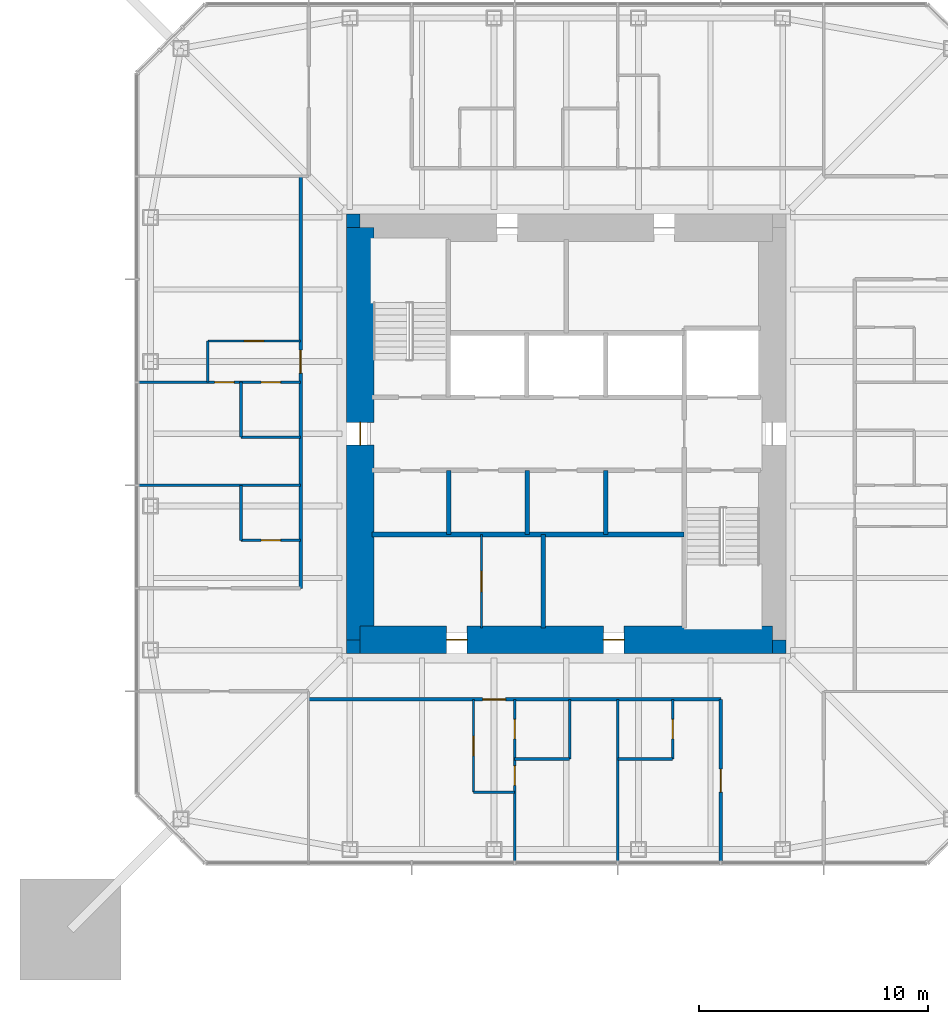
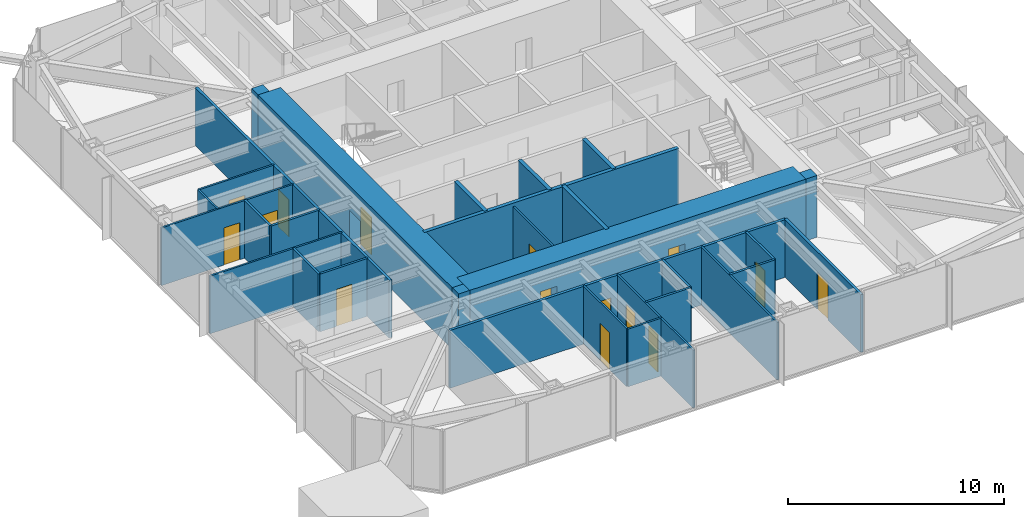
# One storey, part 6 of 11: 30 walls, 15 doors, 15 openings.
"""IFC4 building model written with IfcOpenShell, lengths in metres."""

from ifc_helpers import new_model, si_unit, direction, frame, frame_2d, origin, place, context, subcontext, project, spatial, rectangle, extrude, material, layer, layer_set, type_object, element, fill, save


model = new_model("IFC4")

# Units and contexts
model_context = context("Model", 3, precision=1e-05, world=origin(), true_north=direction((0.0, 1.0)))
body_context = subcontext(model_context, "Body", "Model", "MODEL_VIEW")
ifc_project = project(units=[si_unit("LENGTHUNIT", "METRE"), si_unit("AREAUNIT", "SQUARE_METRE"), si_unit("VOLUMEUNIT", "CUBIC_METRE"), si_unit("PLANEANGLEUNIT", "RADIAN"), si_unit("MASSUNIT", "GRAM", prefix="KILO")], contexts=[model_context])

# Site, building, storey
site_placement = place(None, origin())
site = spatial("IfcSite", under=ifc_project, at=site_placement, CompositionType="ELEMENT")
building_placement = place(site_placement, origin())
building = spatial("IfcBuilding", under=site, at=building_placement, Name="Iwan Alto Co-Living Towers", CompositionType="ELEMENT")
storey_placement = place(building_placement, frame((0.0, 0.0, 170.5)))
storey = spatial("IfcBuildingStorey", under=building, at=storey_placement, Name="L46", CompositionType="ELEMENT", Elevation=170.5)

# Wall, opening, door
ifc_material_1 = material(Name="Gypsum board")
ifc_layer_1 = layer(ifc_material_1, 0.02490234375, Name="Board", Category="Finish")
ifc_material_2 = material(Name="Steel ASTM A1003 ST33H cold-formed studs", Category="steel")
ifc_layer_2 = layer(ifc_material_2, 0.10009765625, Name="Studs", Category="Framing")
ifc_layer_3 = layer(ifc_material_1, 0.02490234375, Name="Board", Category="Finish")
ifc_layer_set_1 = layer_set([ifc_layer_1, ifc_layer_2, ifc_layer_3], Name="CORRIDOR WALL 150")
wall_type_1 = type_object("IfcWallType", Name="CORRIDOR WALL 150", PredefinedType="PARTITIONING", material=ifc_layer_set_1)
wall_1_placement = place(storey_placement, frame((-11.25, -11.60009765625, 0.0), z_axis=(0.0, 0.0, 1.0), x_axis=(1.0, 0.0, 0.0)))
wall_1 = element("IfcWall", 1, at=wall_1_placement, inside=storey, type_object=wall_type_1, Name="Partition L46", PredefinedType="PARTITIONING", context=body_context, shape_type="SweptSolid", body=[
    extrude(rectangle(XDim=18.0, YDim=0.14990234375, at=frame_2d((9.0, 0.0))), origin(), (0.0, 0.0, 1.0), 3.27001953125),
])
opening_1_placement = place(wall_1_placement, frame((7.60009765625, 0.0, 0.0)))
opening_1 = element("IfcOpeningElement", 2, at=opening_1_placement, cuts=wall_1, Name="Opening D3", PredefinedType="OPENING", context=body_context, shape_type="SweptSolid", body=[
    extrude(rectangle(XDim=1.0, YDim=2.10009765625, at=frame_2d((0.5, 1.050048828125))), frame((0.0, 0.0849609375, 0.0), z_axis=(0.0, -1.0, 0.0), x_axis=(1.0, 0.0, 0.0)), (0.0, 0.0, 1.0), 0.169921875),
])
ifc_material_3 = material(Name="Steel frame with timber leaf", Category="steel")
door_type_1 = type_object("IfcDoorType", Name="FLAT ENTRANCE DOOR FD30S 1000X2100", OperationType="SINGLE_SWING_LEFT", PredefinedType="DOOR", material=ifc_material_3)
door_1_placement = place(opening_1_placement, frame((1.0, 0.0, 0.0), z_axis=(0.0, 0.0, 1.0), x_axis=(-1.0, 0.0, 0.0)))
door_1 = element("IfcDoor", 3, at=door_1_placement, inside=storey, type_object=door_type_1, Name="Apartment foyer door L46", OperationType="SINGLE_SWING_RIGHT", OverallHeight=2.10009765625, OverallWidth=1.0, PredefinedType="DOOR", context=body_context, shape_type="SweptSolid", body=[
    extrude(rectangle(XDim=1.0, YDim=2.10009765625, at=frame_2d((0.5, 1.050048828125))), frame((0.0, 0.02490234375, 0.0), z_axis=(0.0, -1.0, 0.0), x_axis=(1.0, 0.0, 0.0)), (0.0, 0.0, 1.0), 0.050048828125),
])
fill(opening_1, door_1)

wall_2_placement = place(storey_placement, frame((6.75, -18.68994140625, 0.0), z_axis=(0.0, 0.0, 1.0), x_axis=(0.0, 1.0, 0.0)))
wall_2 = element("IfcWall", 4, at=wall_2_placement, inside=storey, type_object=wall_type_1, Name="Partition L46", PredefinedType="PARTITIONING", context=body_context, shape_type="SweptSolid", body=[
    extrude(rectangle(XDim=7.08984375, YDim=0.14990234375, at=frame_2d((3.544921875, 0.0))), origin(), (0.0, 0.0, 1.0), 3.27001953125),
])
opening_2_placement = place(wall_2_placement, frame((3.044921875, 0.0, 0.0)))
opening_2 = element("IfcOpeningElement", 5, at=opening_2_placement, cuts=wall_2, Name="Opening D3", PredefinedType="OPENING", context=body_context, shape_type="SweptSolid", body=[
    extrude(rectangle(XDim=1.0, YDim=2.10009765625, at=frame_2d((0.5, 1.050048828125))), frame((0.0, 0.0849609375, 0.0), z_axis=(0.0, -1.0, 0.0), x_axis=(1.0, 0.0, 0.0)), (0.0, 0.0, 1.0), 0.169921875),
])
door_2_placement = place(opening_2_placement, origin())
door_2 = element("IfcDoor", 6, at=door_2_placement, inside=storey, type_object=door_type_1, Name="Studio door L46", OperationType="SINGLE_SWING_RIGHT", OverallHeight=2.10009765625, OverallWidth=1.0, PredefinedType="DOOR", context=body_context, shape_type="SweptSolid", body=[
    extrude(rectangle(XDim=1.0, YDim=2.10009765625, at=frame_2d((0.5, 1.050048828125))), frame((0.0, 0.02490234375, 0.0), z_axis=(0.0, -1.0, 0.0), x_axis=(1.0, 0.0, 0.0)), (0.0, 0.0, 1.0), 0.050048828125),
])
fill(opening_2, door_2)

wall_3_placement = place(storey_placement, frame((-11.60009765625, -6.75, 0.0), z_axis=(0.0, 0.0, 1.0), x_axis=(0.0, 1.0, 0.0)))
wall_3 = element("IfcWall", 7, at=wall_3_placement, inside=storey, type_object=wall_type_1, Name="Partition L46", PredefinedType="PARTITIONING", context=body_context, shape_type="SweptSolid", body=[
    extrude(rectangle(XDim=18.0, YDim=0.14990234375, at=frame_2d((9.0, 0.0))), origin(), (0.0, 0.0, 1.0), 3.27001953125),
])
opening_3_placement = place(wall_3_placement, frame((9.39990234375, 0.0, 0.0)))
opening_3 = element("IfcOpeningElement", 8, at=opening_3_placement, cuts=wall_3, Name="Opening D3", PredefinedType="OPENING", context=body_context, shape_type="SweptSolid", body=[
    extrude(rectangle(XDim=1.0, YDim=2.10009765625, at=frame_2d((0.5, 1.050048828125))), frame((0.0, 0.0849609375, 0.0), z_axis=(0.0, -1.0, 0.0), x_axis=(1.0, 0.0, 0.0)), (0.0, 0.0, 1.0), 0.169921875),
])
door_3_placement = place(opening_3_placement, origin())
door_3 = element("IfcDoor", 9, at=door_3_placement, inside=storey, type_object=door_type_1, Name="Apartment foyer door L46", OperationType="SINGLE_SWING_LEFT", OverallHeight=2.10009765625, OverallWidth=1.0, PredefinedType="DOOR", context=body_context, shape_type="SweptSolid", body=[
    extrude(rectangle(XDim=1.0, YDim=2.10009765625, at=frame_2d((0.5, 1.050048828125))), frame((0.0, 0.02490234375, 0.0), z_axis=(0.0, -1.0, 0.0), x_axis=(1.0, 0.0, 0.0)), (0.0, 0.0, 1.0), 0.050048828125),
])
fill(opening_3, door_3)

# Walls
ifc_layer_4 = layer(ifc_material_1, 0.012451171875, Name="Board", Category="Finish")
ifc_layer_5 = layer(ifc_material_2, 0.074951171875, Name="Studs", Category="Framing")
ifc_layer_6 = layer(ifc_material_1, 0.012451171875, Name="Board", Category="Finish")
ifc_layer_set_2 = layer_set([ifc_layer_4, ifc_layer_5, ifc_layer_6], Name="PARTITION 100")
wall_type_2 = type_object("IfcWallType", Name="PARTITION 100", PredefinedType="PARTITIONING", material=ifc_layer_set_2)
wall_4_placement = place(storey_placement, frame((-4.050048828125, -15.64990234375, 0.0), z_axis=(0.0, 0.0, 1.0), x_axis=(1.0, 0.0, 0.0)))
element("IfcWall", 10, at=wall_4_placement, inside=storey, type_object=wall_type_2, Name="Partition L46", PredefinedType="PARTITIONING", context=body_context, shape_type="SweptSolid", body=[
    extrude(rectangle(XDim=1.800048828125, YDim=0.10009765625, at=frame_2d((0.89990234375, 0.0))), origin(), (0.0, 0.0, 1.0), 3.27001953125),
])
wall_5_placement = place(storey_placement, frame((-18.68994140625, -2.25, 0.0), z_axis=(0.0, 0.0, 1.0), x_axis=(1.0, 0.0, 0.0)))
element("IfcWall", 11, at=wall_5_placement, inside=storey, type_object=wall_type_2, Name="Partition L46", PredefinedType="PARTITIONING", context=body_context, shape_type="SweptSolid", body=[
    extrude(rectangle(XDim=7.08984375, YDim=0.10009765625, at=frame_2d((3.544921875, 0.0))), origin(), (0.0, 0.0, 1.0), 3.27001953125),
])

# Wall, openings, doors
wall_6_placement = place(storey_placement, frame((-18.68994140625, 2.25, 0.0), z_axis=(0.0, 0.0, 1.0), x_axis=(1.0, 0.0, 0.0)))
wall_6 = element("IfcWall", 12, at=wall_6_placement, inside=storey, type_object=wall_type_2, Name="Partition L46", PredefinedType="PARTITIONING", context=body_context, shape_type="SweptSolid", body=[
    extrude(rectangle(XDim=7.08984375, YDim=0.10009765625, at=frame_2d((3.544921875, 0.0))), origin(), (0.0, 0.0, 1.0), 3.27001953125),
])
opening_4_placement = place(wall_6_placement, frame((3.340087890625, 0.0, 0.0)))
opening_4 = element("IfcOpeningElement", 13, at=opening_4_placement, cuts=wall_6, Name="Opening D2", PredefinedType="OPENING", context=body_context, shape_type="SweptSolid", body=[
    extrude(rectangle(XDim=0.85009765625, YDim=2.10009765625, at=frame_2d((0.425048828125, 1.050048828125))), frame((0.0, 0.06005859375, 0.0), z_axis=(0.0, -1.0, 0.0), x_axis=(1.0, 0.0, 0.0)), (0.0, 0.0, 1.0), 0.1201171875),
])
opening_5_placement = place(wall_6_placement, frame((5.364990234375, 0.0, 0.0)))
opening_5 = element("IfcOpeningElement", 14, at=opening_5_placement, cuts=wall_6, Name="Opening D2", PredefinedType="OPENING", context=body_context, shape_type="SweptSolid", body=[
    extrude(rectangle(XDim=0.85009765625, YDim=2.10009765625, at=frame_2d((0.425048828125, 1.050048828125))), frame((0.0, 0.06005859375, 0.0), z_axis=(0.0, -1.0, 0.0), x_axis=(1.0, 0.0, 0.0)), (0.0, 0.0, 1.0), 0.1201171875),
])
ifc_material_4 = material(Name="Timber leaf in steel frame", Category="steel")
door_type_2 = type_object("IfcDoorType", Name="ROOM DOOR 850X2100", OperationType="SINGLE_SWING_LEFT", PredefinedType="DOOR", material=ifc_material_4)
door_4_placement = place(opening_4_placement, frame((0.85009765625, 0.0, 0.0), z_axis=(0.0, 0.0, 1.0), x_axis=(-1.0, 0.0, 0.0)))
door_4 = element("IfcDoor", 15, at=door_4_placement, inside=storey, type_object=door_type_2, Name="Bedroom door L46", OperationType="SINGLE_SWING_LEFT", OverallHeight=2.10009765625, OverallWidth=0.85009765625, PredefinedType="DOOR", context=body_context, shape_type="SweptSolid", body=[
    extrude(rectangle(XDim=0.85009765625, YDim=2.10009765625, at=frame_2d((0.425048828125, 1.050048828125))), frame((0.0, 0.02490234375, 0.0), z_axis=(0.0, -1.0, 0.0), x_axis=(1.0, 0.0, 0.0)), (0.0, 0.0, 1.0), 0.050048828125),
])
fill(opening_4, door_4)
door_5_placement = place(opening_5_placement, frame((0.85009765625, 0.0, 0.0), z_axis=(0.0, 0.0, 1.0), x_axis=(-1.0, 0.0, 0.0)))
door_5 = element("IfcDoor", 16, at=door_5_placement, inside=storey, type_object=door_type_2, Name="Bathroom door L46", OperationType="SINGLE_SWING_RIGHT", OverallHeight=2.10009765625, OverallWidth=0.85009765625, PredefinedType="DOOR", context=body_context, shape_type="SweptSolid", body=[
    extrude(rectangle(XDim=0.85009765625, YDim=2.10009765625, at=frame_2d((0.425048828125, 1.050048828125))), frame((0.0, 0.02490234375, 0.0), z_axis=(0.0, -1.0, 0.0), x_axis=(1.0, 0.0, 0.0)), (0.0, 0.0, 1.0), 0.050048828125),
])
fill(opening_5, door_5)

# Wall, opening, door
wall_7_placement = place(storey_placement, frame((-15.64990234375, 4.050048828125, 0.0), z_axis=(0.0, 0.0, 1.0), x_axis=(1.0, 0.0, 0.0)))
wall_7 = element("IfcWall", 17, at=wall_7_placement, inside=storey, type_object=wall_type_2, Name="Partition L46", PredefinedType="PARTITIONING", context=body_context, shape_type="SweptSolid", body=[
    extrude(rectangle(XDim=4.0498046875, YDim=0.10009765625, at=frame_2d((2.02490234375, 0.0))), origin(), (0.0, 0.0, 1.0), 3.27001953125),
])
opening_6_placement = place(wall_7_placement, frame((1.60009765625, 0.0, 0.0)))
opening_6 = element("IfcOpeningElement", 18, at=opening_6_placement, cuts=wall_7, Name="Opening D2", PredefinedType="OPENING", context=body_context, shape_type="SweptSolid", body=[
    extrude(rectangle(XDim=0.85009765625, YDim=2.10009765625, at=frame_2d((0.425048828125, 1.050048828125))), frame((0.0, 0.06005859375, 0.0), z_axis=(0.0, -1.0, 0.0), x_axis=(1.0, 0.0, 0.0)), (0.0, 0.0, 1.0), 0.1201171875),
])
door_6_placement = place(opening_6_placement, origin())
door_6 = element("IfcDoor", 19, at=door_6_placement, inside=storey, type_object=door_type_2, Name="Apartment foyer door L46", OperationType="SINGLE_SWING_RIGHT", OverallHeight=2.10009765625, OverallWidth=0.85009765625, PredefinedType="DOOR", context=body_context, shape_type="SweptSolid", body=[
    extrude(rectangle(XDim=0.85009765625, YDim=2.10009765625, at=frame_2d((0.425048828125, 1.050048828125))), frame((0.0, 0.02490234375, 0.0), z_axis=(0.0, -1.0, 0.0), x_axis=(1.0, 0.0, 0.0)), (0.0, 0.0, 1.0), 0.050048828125),
])
fill(opening_6, door_6)

# Wall
wall_8_placement = place(storey_placement, frame((2.25, -18.68994140625, 0.0), z_axis=(0.0, 0.0, 1.0), x_axis=(0.0, 1.0, 0.0)))
element("IfcWall", 20, at=wall_8_placement, inside=storey, type_object=wall_type_2, Name="Partition L46", PredefinedType="PARTITIONING", context=body_context, shape_type="SweptSolid", body=[
    extrude(rectangle(XDim=7.08984375, YDim=0.10009765625, at=frame_2d((3.544921875, 0.0))), origin(), (0.0, 0.0, 1.0), 3.27001953125),
])

# Wall, openings, doors
wall_9_placement = place(storey_placement, frame((-2.25, -18.68994140625, 0.0), z_axis=(0.0, 0.0, 1.0), x_axis=(0.0, 1.0, 0.0)))
wall_9 = element("IfcWall", 21, at=wall_9_placement, inside=storey, type_object=wall_type_2, Name="Partition L46", PredefinedType="PARTITIONING", context=body_context, shape_type="SweptSolid", body=[
    extrude(rectangle(XDim=7.08984375, YDim=0.10009765625, at=frame_2d((3.544921875, 0.0))), origin(), (0.0, 0.0, 1.0), 3.27001953125),
])
opening_7_placement = place(wall_9_placement, frame((3.340087890625, 0.0, 0.0)))
opening_7 = element("IfcOpeningElement", 22, at=opening_7_placement, cuts=wall_9, Name="Opening D2", PredefinedType="OPENING", context=body_context, shape_type="SweptSolid", body=[
    extrude(rectangle(XDim=0.85009765625, YDim=2.10009765625, at=frame_2d((0.425048828125, 1.050048828125))), frame((0.0, 0.06005859375, 0.0), z_axis=(0.0, -1.0, 0.0), x_axis=(1.0, 0.0, 0.0)), (0.0, 0.0, 1.0), 0.1201171875),
])
opening_8_placement = place(wall_9_placement, frame((5.364990234375, 0.0, 0.0)))
opening_8 = element("IfcOpeningElement", 23, at=opening_8_placement, cuts=wall_9, Name="Opening D2", PredefinedType="OPENING", context=body_context, shape_type="SweptSolid", body=[
    extrude(rectangle(XDim=0.85009765625, YDim=2.10009765625, at=frame_2d((0.425048828125, 1.050048828125))), frame((0.0, 0.06005859375, 0.0), z_axis=(0.0, -1.0, 0.0), x_axis=(1.0, 0.0, 0.0)), (0.0, 0.0, 1.0), 0.1201171875),
])
door_7_placement = place(opening_7_placement, frame((0.85009765625, 0.0, 0.0), z_axis=(0.0, 0.0, 1.0), x_axis=(-1.0, 0.0, 0.0)))
door_7 = element("IfcDoor", 24, at=door_7_placement, inside=storey, type_object=door_type_2, Name="Bedroom door L46", OperationType="SINGLE_SWING_LEFT", OverallHeight=2.10009765625, OverallWidth=0.85009765625, PredefinedType="DOOR", context=body_context, shape_type="SweptSolid", body=[
    extrude(rectangle(XDim=0.85009765625, YDim=2.10009765625, at=frame_2d((0.425048828125, 1.050048828125))), frame((0.0, 0.02490234375, 0.0), z_axis=(0.0, -1.0, 0.0), x_axis=(1.0, 0.0, 0.0)), (0.0, 0.0, 1.0), 0.050048828125),
])
fill(opening_7, door_7)
door_8_placement = place(opening_8_placement, frame((0.85009765625, 0.0, 0.0), z_axis=(0.0, 0.0, 1.0), x_axis=(-1.0, 0.0, 0.0)))
door_8 = element("IfcDoor", 25, at=door_8_placement, inside=storey, type_object=door_type_2, Name="Bathroom door L46", OperationType="SINGLE_SWING_RIGHT", OverallHeight=2.10009765625, OverallWidth=0.85009765625, PredefinedType="DOOR", context=body_context, shape_type="SweptSolid", body=[
    extrude(rectangle(XDim=0.85009765625, YDim=2.10009765625, at=frame_2d((0.425048828125, 1.050048828125))), frame((0.0, 0.02490234375, 0.0), z_axis=(0.0, -1.0, 0.0), x_axis=(1.0, 0.0, 0.0)), (0.0, 0.0, 1.0), 0.050048828125),
])
fill(opening_8, door_8)

# Wall, opening, door
wall_10_placement = place(storey_placement, frame((-3.699951171875, -8.489990234375, 0.0), z_axis=(0.0, 0.0, 1.0), x_axis=(0.0, 1.0, 0.0)))
wall_10 = element("IfcWall", 26, at=wall_10_placement, inside=storey, type_object=wall_type_2, Name="Partition L46", PredefinedType="PARTITIONING", context=body_context, shape_type="SweptSolid", body=[
    extrude(rectangle(XDim=4.090087890625, YDim=0.10009765625, at=frame_2d((2.044921875, 0.0))), origin(), (0.0, 0.0, 1.0), 3.300048828125),
])
opening_9_placement = place(wall_10_placement, frame((1.594970703125, 0.0, 0.0)))
opening_9 = element("IfcOpeningElement", 27, at=opening_9_placement, cuts=wall_10, Name="Opening D16", PredefinedType="OPENING", context=body_context, shape_type="SweptSolid", body=[
    extrude(rectangle(XDim=0.89990234375, YDim=2.10009765625, at=frame_2d((0.449951171875, 1.050048828125))), frame((0.0, 0.06005859375, 0.0), z_axis=(0.0, -1.0, 0.0), x_axis=(1.0, 0.0, 0.0)), (0.0, 0.0, 1.0), 0.1201171875),
])
ifc_material_5 = material(Name="Timber leaf in steel frame", Category="steel")
door_type_3 = type_object("IfcDoorType", Name="CUPBOARD SLIDING DOOR 900X2100", OperationType="SLIDING_TO_LEFT", PredefinedType="DOOR", material=ifc_material_5)
door_9_placement = place(opening_9_placement, origin())
door_9 = element("IfcDoor", 28, at=door_9_placement, inside=storey, type_object=door_type_3, Name="Recycling store door L46", OperationType="SLIDING_TO_LEFT", OverallHeight=2.10009765625, OverallWidth=0.89990234375, PredefinedType="DOOR", context=body_context, shape_type="SweptSolid", body=[
    extrude(rectangle(XDim=0.89990234375, YDim=2.10009765625, at=frame_2d((0.449951171875, 1.050048828125))), frame((0.0, 0.02490234375, 0.0), z_axis=(0.0, -1.0, 0.0), x_axis=(1.0, 0.0, 0.0)), (0.0, 0.0, 1.0), 0.050048828125),
])
fill(opening_9, door_9)

wall_11_placement = place(storey_placement, frame((-4.050048828125, -15.64990234375, 0.0), z_axis=(0.0, 0.0, 1.0), x_axis=(0.0, 1.0, 0.0)))
wall_11 = element("IfcWall", 29, at=wall_11_placement, inside=storey, type_object=wall_type_2, Name="Partition L46", PredefinedType="PARTITIONING", context=body_context, shape_type="SweptSolid", body=[
    extrude(rectangle(XDim=4.0498046875, YDim=0.10009765625, at=frame_2d((2.02490234375, 0.0))), origin(), (0.0, 0.0, 1.0), 3.27001953125),
])
opening_10_placement = place(wall_11_placement, frame((1.60009765625, 0.0, 0.0)))
opening_10 = element("IfcOpeningElement", 30, at=opening_10_placement, cuts=wall_11, Name="Opening D2", PredefinedType="OPENING", context=body_context, shape_type="SweptSolid", body=[
    extrude(rectangle(XDim=0.85009765625, YDim=2.10009765625, at=frame_2d((0.425048828125, 1.050048828125))), frame((0.0, 0.06005859375, 0.0), z_axis=(0.0, -1.0, 0.0), x_axis=(1.0, 0.0, 0.0)), (0.0, 0.0, 1.0), 0.1201171875),
])
door_10_placement = place(opening_10_placement, origin())
door_10 = element("IfcDoor", 31, at=door_10_placement, inside=storey, type_object=door_type_2, Name="Apartment foyer door L46", OperationType="SINGLE_SWING_RIGHT", OverallHeight=2.10009765625, OverallWidth=0.85009765625, PredefinedType="DOOR", context=body_context, shape_type="SweptSolid", body=[
    extrude(rectangle(XDim=0.85009765625, YDim=2.10009765625, at=frame_2d((0.425048828125, 1.050048828125))), frame((0.0, 0.02490234375, 0.0), z_axis=(0.0, -1.0, 0.0), x_axis=(1.0, 0.0, 0.0)), (0.0, 0.0, 1.0), 0.050048828125),
])
fill(opening_10, door_10)

# Walls
wall_12_placement = place(storey_placement, frame((-15.64990234375, 2.25, 0.0), z_axis=(0.0, 0.0, 1.0), x_axis=(0.0, 1.0, 0.0)))
element("IfcWall", 32, at=wall_12_placement, inside=storey, type_object=wall_type_2, Name="Partition L46", PredefinedType="PARTITIONING", context=body_context, shape_type="SweptSolid", body=[
    extrude(rectangle(XDim=1.800048828125, YDim=0.10009765625, at=frame_2d((0.89990234375, 0.0))), origin(), (0.0, 0.0, 1.0), 3.27001953125),
])
ifc_material_6 = material(Name="Concrete f'c 70 MPa", Category="concrete")
ifc_layer_7 = layer(ifc_material_6, 0.199951171875)
ifc_layer_set_3 = layer_set([ifc_layer_7], Name="SHAFT WALL 200")
wall_type_3 = type_object("IfcWallType", Name="SHAFT WALL 200", PredefinedType="SOLIDWALL", material=ifc_layer_set_3)
wall_13_placement = place(storey_placement, frame((-8.489990234375, -4.39990234375, 0.0), z_axis=(0.0, 0.0, 1.0), x_axis=(1.0, 0.0, 0.0)))
element("IfcWall", 33, at=wall_13_placement, inside=storey, type_object=wall_type_3, Name="Shaft wall L46", PredefinedType="SOLIDWALL", context=body_context, shape_type="SweptSolid", body=[
    extrude(rectangle(XDim=13.639892578125, YDim=0.199951171875, at=frame_2d((6.81982421875, 0.0))), origin(), (0.0, 0.0, 1.0), 3.5),
])
wall_14_placement = place(storey_placement, frame((1.72509765625, -4.39990234375, 0.0), z_axis=(0.0, 0.0, 1.0), x_axis=(0.0, 1.0, 0.0)))
element("IfcWall", 34, at=wall_14_placement, inside=storey, type_object=wall_type_3, Name="Shaft wall L46", PredefinedType="SOLIDWALL", context=body_context, shape_type="SweptSolid", body=[
    extrude(rectangle(XDim=2.7998046875, YDim=0.199951171875, at=frame_2d((1.39990234375, 0.0))), origin(), (0.0, 0.0, 1.0), 3.5),
])
wall_15_placement = place(storey_placement, frame((-1.0, -8.489990234375, 0.0), z_axis=(0.0, 0.0, 1.0), x_axis=(0.0, 1.0, 0.0)))
element("IfcWall", 35, at=wall_15_placement, inside=storey, type_object=wall_type_3, Name="Shaft wall L46", PredefinedType="SOLIDWALL", context=body_context, shape_type="SweptSolid", body=[
    extrude(rectangle(XDim=4.090087890625, YDim=0.199951171875, at=frame_2d((2.044921875, 0.0))), origin(), (0.0, 0.0, 1.0), 3.5),
])
for number, where, z_axis, x_axis, name in (
    (36, (-1.699951171875, -4.39990234375, 0.0), (0.0, 0.0, 1.0), (0.0, 1.0, 0.0), "Shaft wall L46"),
    (37, (-5.125, -4.39990234375, 0.0), (0.0, 0.0, 1.0), (0.0, 1.0, 0.0), "Shaft wall L46"),
):
    element("IfcWall", number, at=place(storey_placement, frame(where, z_axis=z_axis, x_axis=x_axis)), inside=storey, type_object=wall_type_3, Name=name, PredefinedType="SOLIDWALL", context=body_context, shape_type="SweptSolid", body=[
        extrude(rectangle(XDim=2.7998046875, YDim=0.199951171875, at=frame_2d((1.39990234375, 0.0))), origin(), (0.0, 0.0, 1.0), 3.5),
    ])
ifc_material_7 = material(Name="Concrete f'c 70 MPa", Category="concrete")
ifc_layer_8 = layer(ifc_material_7, 0.60009765625)
ifc_layer_set_4 = layer_set([ifc_layer_8], Name="T1 CORE CORNER FILL 600")
wall_type_4 = type_object("IfcWallType", Name="T1 CORE CORNER FILL 600", PredefinedType="SOLIDWALL", material=ifc_layer_set_4)
for number, where, z_axis, x_axis, name in (
    (38, (-9.60009765625, -9.300048828125, 0.0), (0.0, 0.0, 1.0), (1.0, 0.0, 0.0), "T1 core corner SW L46"),
    (39, (9.0, -9.300048828125, 0.0), (0.0, 0.0, 1.0), (1.0, 0.0, 0.0), "T1 core corner SE L46"),
    (40, (-9.60009765625, 9.300048828125, 0.0), (0.0, 0.0, 1.0), (1.0, 0.0, 0.0), "T1 core corner NW L46"),
):
    element("IfcWall", number, at=place(storey_placement, frame(where, z_axis=z_axis, x_axis=x_axis)), inside=storey, type_object=wall_type_4, Name=name, PredefinedType="SOLIDWALL", context=body_context, shape_type="SweptSolid", body=[
        extrude(rectangle(XDim=0.60009765625, YDim=0.60009765625, at=frame_2d((0.300048828125, 0.0))), origin(), (0.0, 0.0, 1.0), 3.5),
    ])

# Wall, openings, doors
ifc_material_8 = material(Name="Concrete f'c 70 MPa", Category="concrete")
ifc_layer_9 = layer(ifc_material_8, 1.199951171875)
ifc_layer_set_5 = layer_set([ifc_layer_9], Name="T1 CORE WALL 1200")
wall_type_5 = type_object("IfcWallType", Name="T1 CORE WALL 1200", PredefinedType="SHEAR", material=ifc_layer_set_5)
wall_16_placement = place(storey_placement, frame((-9.0, -9.0, 0.0), z_axis=(0.0, 0.0, 1.0), x_axis=(1.0, 0.0, 0.0)))
wall_16 = element("IfcWall", 41, at=wall_16_placement, inside=storey, type_object=wall_type_5, Name="T1 core wall S L46", PredefinedType="SHEAR", context=body_context, shape_type="SweptSolid", body=[
    extrude(rectangle(XDim=18.0, YDim=1.199951171875, at=frame_2d((9.0, 0.0))), origin(), (0.0, 0.0, 1.0), 3.5),
])
opening_11_placement = place(wall_16_placement, frame((3.77490234375, 0.0, 0.0)))
opening_11 = element("IfcOpeningElement", 42, at=opening_11_placement, cuts=wall_16, Name="Opening D8", PredefinedType="OPENING", context=body_context, shape_type="SweptSolid", body=[
    extrude(rectangle(XDim=0.89990234375, YDim=2.10009765625, at=frame_2d((0.449951171875, 1.050048828125))), frame((0.0, 0.60986328125, 0.0), z_axis=(0.0, -1.0, 0.0), x_axis=(1.0, 0.0, 0.0)), (0.0, 0.0, 1.0), 1.219970703125),
])
opening_12_placement = place(wall_16_placement, frame((10.625, 0.0, 0.0)))
opening_12 = element("IfcOpeningElement", 43, at=opening_12_placement, cuts=wall_16, Name="Opening D8", PredefinedType="OPENING", context=body_context, shape_type="SweptSolid", body=[
    extrude(rectangle(XDim=0.89990234375, YDim=2.10009765625, at=frame_2d((0.449951171875, 1.050048828125))), frame((0.0, 0.60986328125, 0.0), z_axis=(0.0, -1.0, 0.0), x_axis=(1.0, 0.0, 0.0)), (0.0, 0.0, 1.0), 1.219970703125),
])
ifc_material_9 = material(Name="Steel frame with timber leaf", Category="steel")
door_type_4 = type_object("IfcDoorType", Name="RISER DOOR FD120 900X2100", OperationType="SINGLE_SWING_LEFT", PredefinedType="DOOR", material=ifc_material_9)
door_11_placement = place(opening_11_placement, origin())
door_11 = element("IfcDoor", 44, at=door_11_placement, inside=storey, type_object=door_type_4, Name="Refuse room core door L46", OperationType="SINGLE_SWING_RIGHT", OverallHeight=2.10009765625, OverallWidth=0.89990234375, PredefinedType="DOOR", context=body_context, shape_type="SweptSolid", body=[
    extrude(rectangle(XDim=0.89990234375, YDim=2.10009765625, at=frame_2d((0.449951171875, 1.050048828125))), frame((0.0, 0.02490234375, 0.0), z_axis=(0.0, -1.0, 0.0), x_axis=(1.0, 0.0, 0.0)), (0.0, 0.0, 1.0), 0.050048828125),
])
fill(opening_11, door_11)
door_12_placement = place(opening_12_placement, origin())
door_12 = element("IfcDoor", 45, at=door_12_placement, inside=storey, type_object=door_type_4, Name="Telecom riser core door L46", OperationType="SINGLE_SWING_LEFT", OverallHeight=2.10009765625, OverallWidth=0.89990234375, PredefinedType="DOOR", context=body_context, shape_type="SweptSolid", body=[
    extrude(rectangle(XDim=0.89990234375, YDim=2.10009765625, at=frame_2d((0.449951171875, 1.050048828125))), frame((0.0, 0.02490234375, 0.0), z_axis=(0.0, -1.0, 0.0), x_axis=(1.0, 0.0, 0.0)), (0.0, 0.0, 1.0), 0.050048828125),
])
fill(opening_12, door_12)

# Wall, opening, door
wall_17_placement = place(storey_placement, frame((-9.0, 9.0, 0.0), z_axis=(0.0, 0.0, 1.0), x_axis=(0.0, -1.0, 0.0)))
wall_17 = element("IfcWall", 46, at=wall_17_placement, inside=storey, type_object=wall_type_5, Name="T1 core wall W L46", PredefinedType="SHEAR", context=body_context, shape_type="SweptSolid", body=[
    extrude(rectangle(XDim=18.0, YDim=1.199951171875, at=frame_2d((9.0, 0.0))), origin(), (0.0, 0.0, 1.0), 3.5),
])
opening_13_placement = place(wall_17_placement, frame((8.5, 0.0, 0.0)))
opening_13 = element("IfcOpeningElement", 47, at=opening_13_placement, cuts=wall_17, Name="Opening D7", PredefinedType="OPENING", context=body_context, shape_type="SweptSolid", body=[
    extrude(rectangle(XDim=1.0, YDim=2.10009765625, at=frame_2d((0.5, 1.050048828125))), frame((0.0, 0.60986328125, 0.0), z_axis=(0.0, -1.0, 0.0), x_axis=(1.0, 0.0, 0.0)), (0.0, 0.0, 1.0), 1.219970703125),
])
ifc_material_10 = material(Name="Steel frame with timber leaf", Category="steel")
door_type_5 = type_object("IfcDoorType", Name="CORE DOOR FD120S 1000X2100", OperationType="SINGLE_SWING_LEFT", PredefinedType="DOOR", material=ifc_material_10)
door_13_placement = place(opening_13_placement, origin())
door_13 = element("IfcDoor", 48, at=door_13_placement, inside=storey, type_object=door_type_5, Name="Lift lobby core door L46", OperationType="SINGLE_SWING_RIGHT", OverallHeight=2.10009765625, OverallWidth=1.0, PredefinedType="DOOR", context=body_context, shape_type="SweptSolid", body=[
    extrude(rectangle(XDim=1.0, YDim=2.10009765625, at=frame_2d((0.5, 1.050048828125))), frame((0.0, 0.02490234375, 0.0), z_axis=(0.0, -1.0, 0.0), x_axis=(1.0, 0.0, 0.0)), (0.0, 0.0, 1.0), 0.050048828125),
])
fill(opening_13, door_13)

# Walls
ifc_material_11 = material(Name="Cement board")
ifc_layer_10 = layer(ifc_material_11, 0.012451171875, Name="Board", Category="Finish")
ifc_layer_11 = layer(ifc_material_2, 0.094970703125, Name="Studs", Category="Framing")
ifc_layer_12 = layer(ifc_material_11, 0.012451171875, Name="Board", Category="Finish")
ifc_layer_set_6 = layer_set([ifc_layer_10, ifc_layer_11, ifc_layer_12], Name="WET AREA PARTITION 120")
wall_type_6 = type_object("IfcWallType", Name="WET AREA PARTITION 120", PredefinedType="PARTITIONING", material=ifc_layer_set_6)
for number, where, z_axis, x_axis, name in (
    (49, (-2.25, -14.199951171875, 0.0), (0.0, 0.0, 1.0), (1.0, 0.0, 0.0), "Partition L46"),
    (50, (2.25, -14.199951171875, 0.0), (0.0, 0.0, 1.0), (1.0, 0.0, 0.0), "Partition L46"),
):
    element("IfcWall", number, at=place(storey_placement, frame(where, z_axis=z_axis, x_axis=x_axis)), inside=storey, type_object=wall_type_6, Name=name, PredefinedType="PARTITIONING", context=body_context, shape_type="SweptSolid", body=[
        extrude(rectangle(XDim=2.39990234375, YDim=0.1201171875, at=frame_2d((1.199951171875, 0.0))), origin(), (0.0, 0.0, 1.0), 3.27001953125),
    ])

# Wall, opening, door
wall_18_placement = place(storey_placement, frame((-14.199951171875, -4.64990234375, 0.0), z_axis=(0.0, 0.0, 1.0), x_axis=(1.0, 0.0, 0.0)))
wall_18 = element("IfcWall", 51, at=wall_18_placement, inside=storey, type_object=wall_type_6, Name="Partition L46", PredefinedType="PARTITIONING", context=body_context, shape_type="SweptSolid", body=[
    extrude(rectangle(XDim=2.599853515625, YDim=0.1201171875, at=frame_2d((1.2998046875, 0.0))), origin(), (0.0, 0.0, 1.0), 3.27001953125),
])
opening_14_placement = place(wall_18_placement, frame((0.875, 0.0, 0.0)))
opening_14 = element("IfcOpeningElement", 52, at=opening_14_placement, cuts=wall_18, Name="Opening D2", PredefinedType="OPENING", context=body_context, shape_type="SweptSolid", body=[
    extrude(rectangle(XDim=0.85009765625, YDim=2.10009765625, at=frame_2d((0.425048828125, 1.050048828125))), frame((0.0, 0.070068359375, 0.0), z_axis=(0.0, -1.0, 0.0), x_axis=(1.0, 0.0, 0.0)), (0.0, 0.0, 1.0), 0.14013671875),
])
door_14_placement = place(opening_14_placement, frame((0.85009765625, 0.0, 0.0), z_axis=(0.0, 0.0, 1.0), x_axis=(-1.0, 0.0, 0.0)))
door_14 = element("IfcDoor", 53, at=door_14_placement, inside=storey, type_object=door_type_2, Name="En-suite shower room door L46", OperationType="SINGLE_SWING_LEFT", OverallHeight=2.10009765625, OverallWidth=0.85009765625, PredefinedType="DOOR", context=body_context, shape_type="SweptSolid", body=[
    extrude(rectangle(XDim=0.85009765625, YDim=2.10009765625, at=frame_2d((0.425048828125, 1.050048828125))), frame((0.0, 0.02490234375, 0.0), z_axis=(0.0, -1.0, 0.0), x_axis=(1.0, 0.0, 0.0)), (0.0, 0.0, 1.0), 0.050048828125),
])
fill(opening_14, door_14)

# Wall
wall_19_placement = place(storey_placement, frame((-14.199951171875, -0.14990234375, 0.0), z_axis=(0.0, 0.0, 1.0), x_axis=(1.0, 0.0, 0.0)))
element("IfcWall", 54, at=wall_19_placement, inside=storey, type_object=wall_type_6, Name="Partition L46", PredefinedType="PARTITIONING", context=body_context, shape_type="SweptSolid", body=[
    extrude(rectangle(XDim=2.599853515625, YDim=0.1201171875, at=frame_2d((1.2998046875, 0.0))), origin(), (0.0, 0.0, 1.0), 3.27001953125),
])

# Wall, opening, door
wall_20_placement = place(storey_placement, frame((4.64990234375, -14.199951171875, 0.0), z_axis=(0.0, 0.0, 1.0), x_axis=(0.0, 1.0, 0.0)))
wall_20 = element("IfcWall", 55, at=wall_20_placement, inside=storey, type_object=wall_type_6, Name="Partition L46", PredefinedType="PARTITIONING", context=body_context, shape_type="SweptSolid", body=[
    extrude(rectangle(XDim=2.599853515625, YDim=0.1201171875, at=frame_2d((1.2998046875, 0.0))), origin(), (0.0, 0.0, 1.0), 3.27001953125),
])
opening_15_placement = place(wall_20_placement, frame((0.875, 0.0, 0.0)))
opening_15 = element("IfcOpeningElement", 56, at=opening_15_placement, cuts=wall_20, Name="Opening D2", PredefinedType="OPENING", context=body_context, shape_type="SweptSolid", body=[
    extrude(rectangle(XDim=0.85009765625, YDim=2.10009765625, at=frame_2d((0.425048828125, 1.050048828125))), frame((0.0, 0.070068359375, 0.0), z_axis=(0.0, -1.0, 0.0), x_axis=(1.0, 0.0, 0.0)), (0.0, 0.0, 1.0), 0.14013671875),
])
door_15_placement = place(opening_15_placement, frame((0.85009765625, 0.0, 0.0), z_axis=(0.0, 0.0, 1.0), x_axis=(-1.0, 0.0, 0.0)))
door_15 = element("IfcDoor", 57, at=door_15_placement, inside=storey, type_object=door_type_2, Name="En-suite shower room door L46", OperationType="SINGLE_SWING_LEFT", OverallHeight=2.10009765625, OverallWidth=0.85009765625, PredefinedType="DOOR", context=body_context, shape_type="SweptSolid", body=[
    extrude(rectangle(XDim=0.85009765625, YDim=2.10009765625, at=frame_2d((0.425048828125, 1.050048828125))), frame((0.0, 0.02490234375, 0.0), z_axis=(0.0, -1.0, 0.0), x_axis=(1.0, 0.0, 0.0)), (0.0, 0.0, 1.0), 0.050048828125),
])
fill(opening_15, door_15)

# Walls
wall_21_placement = place(storey_placement, frame((0.14990234375, -14.199951171875, 0.0), z_axis=(0.0, 0.0, 1.0), x_axis=(0.0, 1.0, 0.0)))
element("IfcWall", 58, at=wall_21_placement, inside=storey, type_object=wall_type_6, Name="Partition L46", PredefinedType="PARTITIONING", context=body_context, shape_type="SweptSolid", body=[
    extrude(rectangle(XDim=2.599853515625, YDim=0.1201171875, at=frame_2d((1.2998046875, 0.0))), origin(), (0.0, 0.0, 1.0), 3.27001953125),
])
for number, where, z_axis, x_axis, name in (
    (59, (-14.199951171875, -4.64990234375, 0.0), (0.0, 0.0, 1.0), (0.0, 1.0, 0.0), "Partition L46"),
    (60, (-14.199951171875, -0.14990234375, 0.0), (0.0, 0.0, 1.0), (0.0, 1.0, 0.0), "Partition L46"),
):
    element("IfcWall", number, at=place(storey_placement, frame(where, z_axis=z_axis, x_axis=x_axis)), inside=storey, type_object=wall_type_6, Name=name, PredefinedType="PARTITIONING", context=body_context, shape_type="SweptSolid", body=[
        extrude(rectangle(XDim=2.39990234375, YDim=0.1201171875, at=frame_2d((1.199951171875, 0.0))), origin(), (0.0, 0.0, 1.0), 3.27001953125),
    ])

save(model, "model.ifc")
